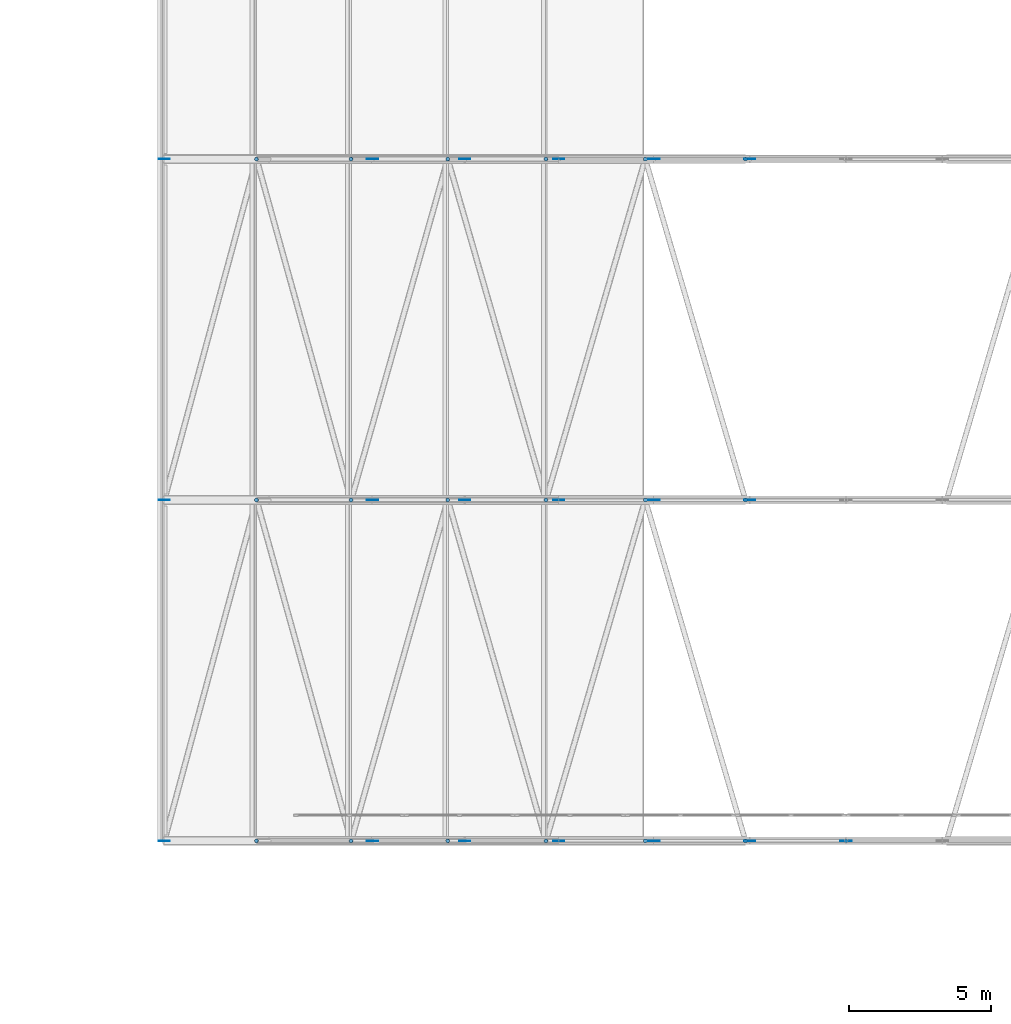
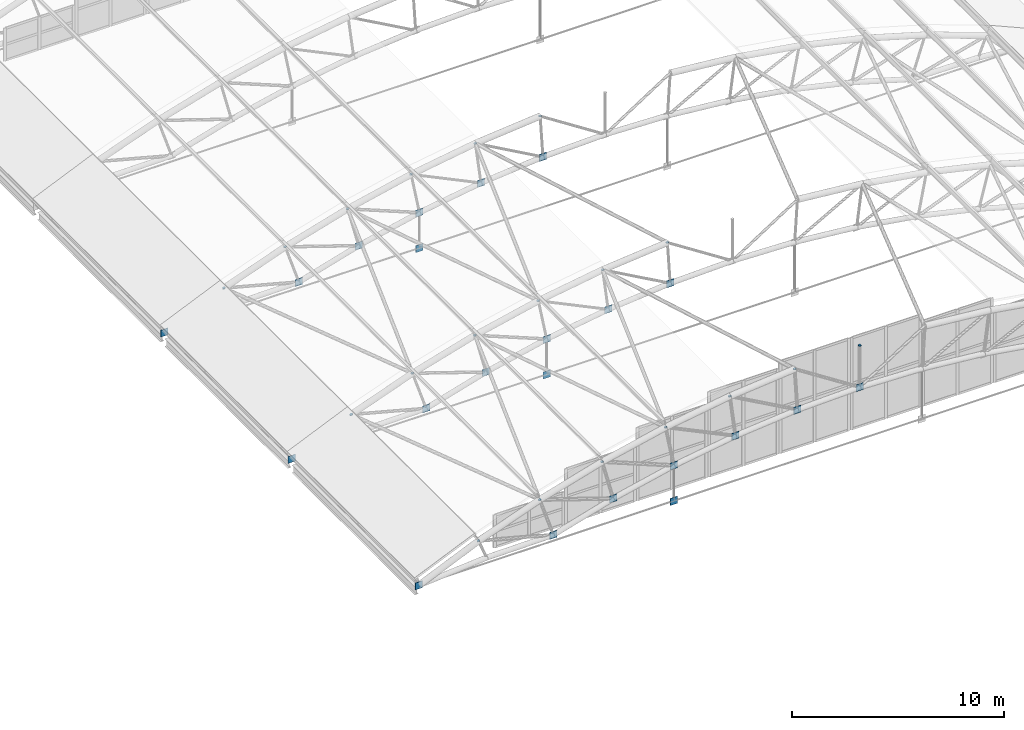
# One storey, part 287 of 321: 41 discrete accessories.
"""IFC4 building model written with IfcOpenShell, lengths in metres."""

from ifc_helpers import new_model, si_unit, direction, frame, origin, origin_2d, place, context, subcontext, project, spatial, rectangle, circle, extrude, material, material_profile, profile_set, type_object, element, save


model = new_model("IFC4")

# Units and contexts
model_context = context("Model", 3, precision=1e-05, world=origin(), true_north=direction((0.0, 1.0)))
body_context = subcontext(model_context, "Body", "Model", "MODEL_VIEW")
ifc_project = project(units=[si_unit("LENGTHUNIT", "METRE"), si_unit("AREAUNIT", "SQUARE_METRE"), si_unit("VOLUMEUNIT", "CUBIC_METRE"), si_unit("PLANEANGLEUNIT", "RADIAN"), si_unit("MASSUNIT", "GRAM", prefix="KILO")], contexts=[model_context])

# Site, building, storey
site_placement = place(None, origin())
site = spatial("IfcSite", under=ifc_project, at=site_placement, CompositionType="ELEMENT")
building_placement = place(site_placement, origin())
building = spatial("IfcBuilding", under=site, at=building_placement, Name="Ravi Spectrum Wholesale Market", CompositionType="ELEMENT")
storey_placement = place(building_placement, frame((0.0, 0.0, 10.800048828125)))
storey = spatial("IfcBuildingStorey", under=building, at=storey_placement, Name="L02", CompositionType="ELEMENT", Elevation=10.800048828125)

# Discrete accessories
ifc_material_1 = material(Name="Steel S355", Category="steel")
ifc_material_profile_1 = material_profile(ifc_material_1, circle(Radius=0.06982421875, at=origin_2d()))
ifc_profile_set_1 = profile_set([ifc_material_profile_1], Name="Steel S355")
discrete_accessory_type_1 = type_object("IfcDiscreteAccessoryType", Name="End plate CHS 139.7x5", PredefinedType="BRACKET", material=ifc_profile_set_1)
for number, where, z_axis, x_axis, name in (
    (1, (153.24755859375, 78.0, 1.415283203125), (-0.364399348581, 0.0, 0.931242779706), (0.0, -1.0, 0.0), "End plate"),
    (2, (156.577880859375, 78.0, 2.62255859375), (-0.304040173793, 0.0, 0.952659211219), (0.0, -1.0, 0.0), "End plate"),
    (3, (159.97802734375, 78.0, 3.6171875), (-0.247383245266, 0.0, 0.968917710624), (0.0, -1.0, 0.0), "End plate"),
    (4, (163.434326171875, 78.0, 4.394775390625), (-0.203954254112, 0.0, 0.978980419738), (0.0, -1.0, 0.0), "End plate"),
    (5, (166.9326171875, 78.0, 4.952392578125), (-0.121541190452, 0.0, 0.992586388695), (0.0, -1.0, 0.0), "End plate"),
    (6, (170.459228515625, 78.0, 5.2880859375), (-0.06111006328, 0.0, 0.998131033565), (0.0, -1.0, 0.0), "End plate"),
    (7, (174.0, 78.0, 5.39990234375), (0.0, 0.0, 1.0), (1.0, 0.0, 0.0), "End plate"),
    (8, (153.24755859375, 90.0, 1.415283203125), (-0.364399348581, 0.0, 0.931242779706), (0.0, -1.0, 0.0), "End plate"),
    (9, (156.577880859375, 90.0, 2.62255859375), (-0.304040173793, 0.0, 0.952659211219), (0.0, -1.0, 0.0), "End plate"),
    (10, (159.97802734375, 90.0, 3.6171875), (-0.247383245266, 0.0, 0.968917710624), (0.0, -1.0, 0.0), "End plate"),
    (11, (163.434326171875, 90.0, 4.394775390625), (-0.203954254112, 0.0, 0.978980419738), (0.0, -1.0, 0.0), "End plate"),
    (12, (166.9326171875, 90.0, 4.952392578125), (-0.121541190452, 0.0, 0.992586388695), (0.0, -1.0, 0.0), "End plate"),
    (13, (170.459228515625, 90.0, 5.2880859375), (-0.06111006328, 0.0, 0.998131033565), (0.0, -1.0, 0.0), "End plate"),
    (14, (153.24755859375, 102.0, 1.415283203125), (-0.364399348581, 0.0, 0.931242779706), (0.0, -1.0, 0.0), "End plate"),
    (15, (156.577880859375, 102.0, 2.62255859375), (-0.304040173793, 0.0, 0.952659211219), (0.0, -1.0, 0.0), "End plate"),
    (16, (159.97802734375, 102.0, 3.6171875), (-0.247383245266, 0.0, 0.968917710624), (0.0, -1.0, 0.0), "End plate"),
    (17, (163.434326171875, 102.0, 4.394775390625), (-0.203954254112, 0.0, 0.978980419738), (0.0, -1.0, 0.0), "End plate"),
    (18, (166.9326171875, 102.0, 4.952392578125), (-0.121541190452, 0.0, 0.992586388695), (0.0, -1.0, 0.0), "End plate"),
    (19, (170.459228515625, 102.0, 5.2880859375), (-0.06111006328, 0.0, 0.998131033565), (0.0, -1.0, 0.0), "End plate"),
):
    element("IfcDiscreteAccessory", number, at=place(storey_placement, frame(where, z_axis=z_axis, x_axis=x_axis)), inside=storey, type_object=discrete_accessory_type_1, Name=name, PredefinedType="BRACKET", context=body_context, shape_type="SweptSolid", body=[
        extrude(circle(Radius=0.06982421875, at=origin_2d()), origin(), (0.0, 0.0, 1.0), 0.011962890625),
    ])
ifc_material_2 = material(Name="Steel S355", Category="steel")
ifc_material_profile_2 = material_profile(ifc_material_2, rectangle(XDim=0.39990234375, YDim=0.02001953125, at=origin_2d()))
ifc_profile_set_2 = profile_set([ifc_material_profile_2], Name="Steel S355")
discrete_accessory_type_2 = type_object("IfcDiscreteAccessoryType", Name="Gusset plate 400x400x20", PredefinedType="BRACKET", material=ifc_profile_set_2)
for number, where, z_axis, x_axis, name in (
    (20, (150.0, 78.0, -0.199951171875), (0.0, 0.0, 1.0), (1.0, 0.0, 0.0), "Gusset plate"),
    (21, (150.0, 90.0, -0.199951171875), (0.0, 0.0, 1.0), (1.0, 0.0, 0.0), "Gusset plate"),
    (22, (150.0, 102.0, -0.199951171875), (0.0, 0.0, 1.0), (1.0, 0.0, 0.0), "Gusset plate"),
):
    element("IfcDiscreteAccessory", number, at=place(storey_placement, frame(where, z_axis=z_axis, x_axis=x_axis)), inside=storey, type_object=discrete_accessory_type_2, Name=name, PredefinedType="BRACKET", context=body_context, shape_type="SweptSolid", body=[
        extrude(rectangle(XDim=0.39990234375, YDim=0.02001953125, at=origin_2d()), origin(), (0.0, 0.0, 1.0), 0.39990234375),
    ])
for number, where, z_axis, x_axis, name in (
    (23, (157.32421875, 78.0, 0.1416015625), (0.0, 0.0, 1.0), (1.0, 0.0, 0.0), "Gusset plate"),
    (24, (157.32421875, 90.0, 0.1416015625), (0.0, 0.0, 1.0), (1.0, 0.0, 0.0), "Gusset plate"),
    (25, (157.32421875, 102.0, 0.1416015625), (0.0, 0.0, 1.0), (1.0, 0.0, 0.0), "Gusset plate"),
):
    element("IfcDiscreteAccessory", number, at=place(storey_placement, frame(where, z_axis=z_axis, x_axis=x_axis)), inside=storey, type_object=discrete_accessory_type_2, Name=name, PredefinedType="BRACKET", context=body_context, shape_type="SweptSolid", body=[
        extrude(rectangle(XDim=0.39990234375, YDim=0.02001953125, at=origin_2d()), origin(), (0.0, 0.0, 1.0), 0.400146484375),
    ])
for number, where, z_axis, x_axis, name in (
    (26, (160.57861328125, 78.0, 1.093505859375), (0.0, 0.0, 1.0), (1.0, 0.0, 0.0), "Gusset plate"),
    (27, (160.57861328125, 90.0, 1.093505859375), (0.0, 0.0, 1.0), (1.0, 0.0, 0.0), "Gusset plate"),
    (28, (160.57861328125, 102.0, 1.093505859375), (0.0, 0.0, 1.0), (1.0, 0.0, 0.0), "Gusset plate"),
    (29, (163.88671875, 78.0, -0.199951171875), (0.0, 0.0, 1.0), (1.0, 0.0, 0.0), "Gusset plate"),
    (30, (163.88671875, 78.0, 1.837890625), (0.0, 0.0, 1.0), (1.0, 0.0, 0.0), "Gusset plate"),
    (31, (163.88671875, 90.0, -0.199951171875), (0.0, 0.0, 1.0), (1.0, 0.0, 0.0), "Gusset plate"),
    (32, (163.88671875, 90.0, 1.837890625), (0.0, 0.0, 1.0), (1.0, 0.0, 0.0), "Gusset plate"),
    (33, (163.88671875, 102.0, -0.199951171875), (0.0, 0.0, 1.0), (1.0, 0.0, 0.0), "Gusset plate"),
    (34, (163.88671875, 102.0, 1.837890625), (0.0, 0.0, 1.0), (1.0, 0.0, 0.0), "Gusset plate"),
):
    element("IfcDiscreteAccessory", number, at=place(storey_placement, frame(where, z_axis=z_axis, x_axis=x_axis)), inside=storey, type_object=discrete_accessory_type_2, Name=name, PredefinedType="BRACKET", context=body_context, shape_type="SweptSolid", body=[
        extrude(rectangle(XDim=0.39990234375, YDim=0.02001953125, at=origin_2d()), origin(), (0.0, 0.0, 1.0), 0.39990234375),
    ])
for number, where, z_axis, x_axis, name in (
    (35, (167.2353515625, 78.0, 2.37158203125), (0.0, 0.0, 1.0), (1.0, 0.0, 0.0), "Gusset plate"),
    (36, (167.2353515625, 90.0, 2.37158203125), (0.0, 0.0, 1.0), (1.0, 0.0, 0.0), "Gusset plate"),
    (37, (167.2353515625, 102.0, 2.37158203125), (0.0, 0.0, 1.0), (1.0, 0.0, 0.0), "Gusset plate"),
):
    element("IfcDiscreteAccessory", number, at=place(storey_placement, frame(where, z_axis=z_axis, x_axis=x_axis)), inside=storey, type_object=discrete_accessory_type_2, Name=name, PredefinedType="BRACKET", context=body_context, shape_type="SweptSolid", body=[
        extrude(rectangle(XDim=0.39990234375, YDim=0.02001953125, at=origin_2d()), origin(), (0.0, 0.0, 1.0), 0.400146484375),
    ])
for number, where, z_axis, x_axis, name in (
    (38, (170.61083984375, 78.0, 2.69287109375), (0.0, 0.0, 1.0), (1.0, 0.0, 0.0), "Gusset plate"),
    (39, (170.61083984375, 90.0, 2.69287109375), (0.0, 0.0, 1.0), (1.0, 0.0, 0.0), "Gusset plate"),
    (40, (170.61083984375, 102.0, 2.69287109375), (0.0, 0.0, 1.0), (1.0, 0.0, 0.0), "Gusset plate"),
    (41, (174.0, 78.0, 2.800048828125), (0.0, 0.0, 1.0), (1.0, 0.0, 0.0), "Gusset plate"),
):
    element("IfcDiscreteAccessory", number, at=place(storey_placement, frame(where, z_axis=z_axis, x_axis=x_axis)), inside=storey, type_object=discrete_accessory_type_2, Name=name, PredefinedType="BRACKET", context=body_context, shape_type="SweptSolid", body=[
        extrude(rectangle(XDim=0.39990234375, YDim=0.02001953125, at=origin_2d()), origin(), (0.0, 0.0, 1.0), 0.39990234375),
    ])

save(model, "model.ifc")
